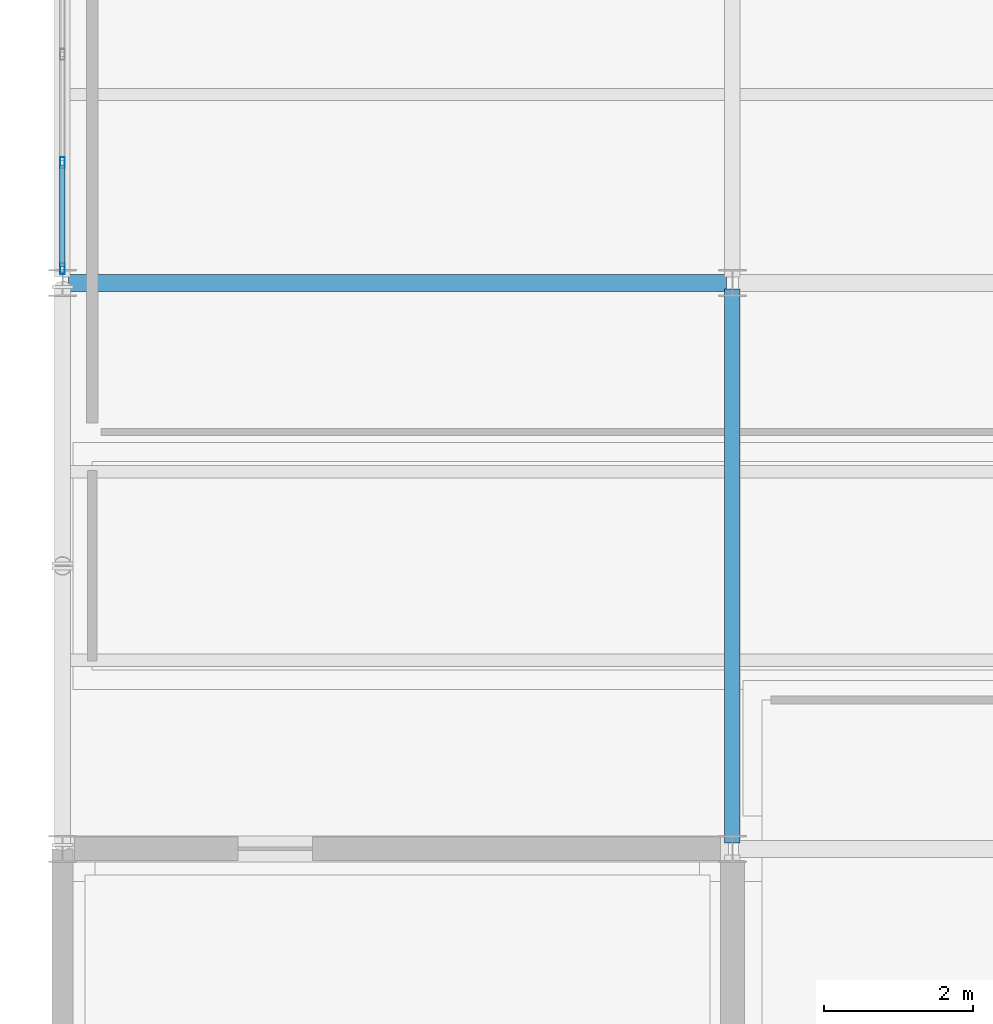
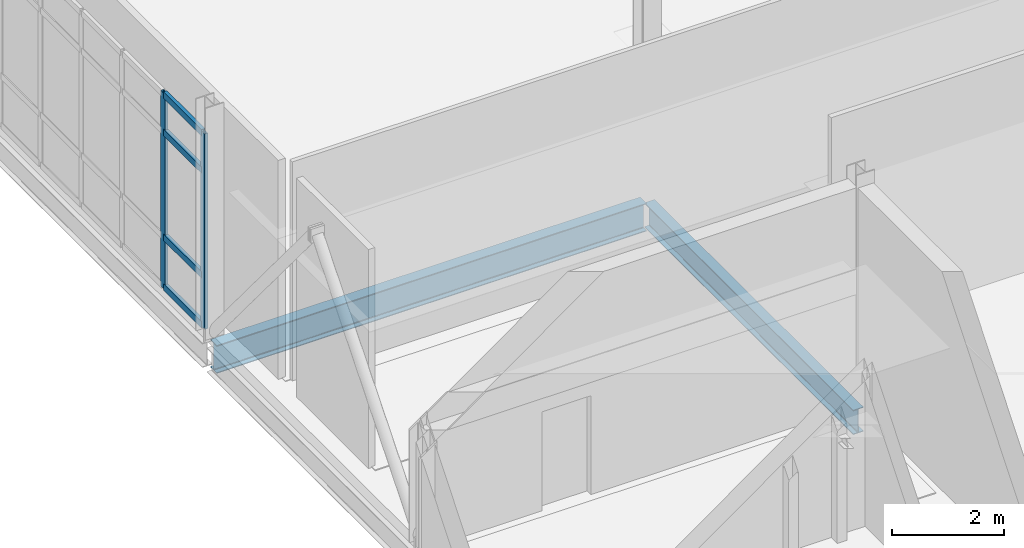
# One storey, part 40 of 161: 6 members, 2 beams, 1 element without a shape of its own.
"""IFC4 building model written with IfcOpenShell, lengths in metres."""

from ifc_helpers import new_model, si_unit, direction, frame, origin, origin_2d, place, context, subcontext, project, spatial, hollow_rectangle, i_section, extrude, material, material_profile, profile_set, type_object, element, aggregate, save


model = new_model("IFC4")

# Units and contexts
model_context = context("Model", 3, precision=1e-05, world=origin(), true_north=direction((0.0, 1.0)))
body_context = subcontext(model_context, "Body", "Model", "MODEL_VIEW")
ifc_project = project(units=[si_unit("LENGTHUNIT", "METRE"), si_unit("AREAUNIT", "SQUARE_METRE"), si_unit("VOLUMEUNIT", "CUBIC_METRE"), si_unit("PLANEANGLEUNIT", "RADIAN"), si_unit("MASSUNIT", "GRAM", prefix="KILO")], contexts=[model_context])

# Site, building, storey
site_placement = place(None, origin())
site = spatial("IfcSite", under=ifc_project, at=site_placement, CompositionType="ELEMENT")
building_placement = place(site_placement, origin())
building = spatial("IfcBuilding", under=site, at=building_placement, Name="Caisbarro Railhouse Central Library", CompositionType="ELEMENT")
storey_placement = place(building_placement, origin())
storey = spatial("IfcBuildingStorey", under=building, at=storey_placement, Name="L00", CompositionType="ELEMENT", Elevation=0.0)

# Beams
ifc_material_1 = material(Name="Steel ASTM A572 Grade 50", Category="steel")
ifc_material_profile_1 = material_profile(ifc_material_1, i_section(OverallWidth=0.22802734375, OverallDepth=0.60791015625, WebThickness=0.01123046875, FlangeThickness=0.017333984375, FilletRadius=0.02197265625, at=origin_2d()), Name="W610X113.0")
ifc_profile_set_1 = profile_set([ifc_material_profile_1], Name="Steel ASTM A572 Grade 50")
beam_type_1 = type_object("IfcBeamType", Name="BM-G04", PredefinedType="BEAM", material=ifc_profile_set_1)
beam_1_placement = place(storey_placement, frame((0.080078125, 45.60009765625, -0.553955078125), z_axis=(1.0, 0.0, 0.0), x_axis=(0.0, 1.0, 0.0)))
element("IfcBeam", 1, at=beam_1_placement, inside=storey, type_object=beam_type_1, Name="G04 beam L00 #259", PredefinedType="BEAM", context=body_context, shape_type="SweptSolid", body=[
    extrude(i_section(OverallWidth=0.22802734375, OverallDepth=0.60791015625, WebThickness=0.01123046875, FlangeThickness=0.017333984375, FilletRadius=0.02197265625, at=origin_2d()), origin(), (0.0, 0.0, 1.0), 8.83984375),
])
ifc_material_profile_2 = material_profile(ifc_material_1, i_section(OverallWidth=0.208984375, OverallDepth=0.532958984375, WebThickness=0.01025390625, FlangeThickness=0.015625, FilletRadius=0.02001953125, at=origin_2d()), Name="W530X92.0")
ifc_profile_set_2 = profile_set([ifc_material_profile_2], Name="Steel ASTM A572 Grade 50")
beam_type_2 = type_object("IfcBeamType", Name="BM-G06", PredefinedType="BEAM", material=ifc_profile_set_2)
beam_2_placement = place(storey_placement, frame((9.0, 38.080078125, -0.5166015625), z_axis=(0.0, 1.0, 0.0), x_axis=(-1.0, 0.0, 0.0)))
element("IfcBeam", 2, at=beam_2_placement, inside=storey, type_object=beam_type_2, Name="G06 beam L00 #288", PredefinedType="BEAM", context=body_context, shape_type="SweptSolid", body=[
    extrude(i_section(OverallWidth=0.208984375, OverallDepth=0.532958984375, WebThickness=0.01025390625, FlangeThickness=0.015625, FilletRadius=0.02001953125, at=origin_2d()), origin(), (0.0, 0.0, 1.0), 7.43994140625),
])

# Curtain wall, members
ifc_material_2 = material(Name="Anodised architectural aluminium", Category="aluminium")
curtain_wall_type = type_object("IfcCurtainWallType", Name="CW-CW02", PredefinedType="NOTDEFINED", material=ifc_material_2)
curtain_wall_placement = place(storey_placement, origin())
curtain_wall = element("IfcCurtainWall", 3, at=curtain_wall_placement, inside=storey, type_object=curtain_wall_type, Name="CW02 curtain wall L00 #21", PredefinedType="NOTDEFINED")
ifc_material_profile_3 = material_profile(ifc_material_2, hollow_rectangle(XDim=0.06494140625, YDim=0.14990234375, WallThickness=0.00390625, at=origin_2d()), Name="ALU-MUL-65X150")
ifc_profile_set_3 = profile_set([ifc_material_profile_3], Name="Anodised architectural aluminium")
member_type_1 = type_object("IfcMemberType", Name="CWM-M02", PredefinedType="MULLION", material=ifc_profile_set_3)
member_1_placement = place(storey_placement, frame((0.0, 45.79248046875, 0.0), z_axis=(0.0, 0.0, 1.0), x_axis=(-1.0, 0.0, 0.0)))
member_1 = element("IfcMember", 4, at=member_1_placement, type_object=member_type_1, Name="CW02 mullion 1", PredefinedType="MULLION", context=body_context, shape_type="SweptSolid", body=[
    extrude(hollow_rectangle(XDim=0.06494140625, YDim=0.14990234375, WallThickness=0.00390625, at=origin_2d()), origin(), (0.0, 0.0, 1.0), 4.25),
])
member_2_placement = place(storey_placement, frame((0.0, 47.216064453125, 0.0), z_axis=(0.0, 0.0, 1.0), x_axis=(-1.0, 0.0, 0.0)))
member_2 = element("IfcMember", 5, at=member_2_placement, type_object=member_type_1, Name="CW02 mullion 2", PredefinedType="MULLION", context=body_context, shape_type="SweptSolid", body=[
    extrude(hollow_rectangle(XDim=0.06494140625, YDim=0.14990234375, WallThickness=0.00390625, at=origin_2d()), origin(), (0.0, 0.0, 1.0), 4.25),
])
ifc_material_profile_4 = material_profile(ifc_material_2, hollow_rectangle(XDim=0.074951171875, YDim=0.139892578125, WallThickness=0.00390625, at=origin_2d()), Name="ALU-TRN-75X140")
ifc_profile_set_4 = profile_set([ifc_material_profile_4], Name="Anodised architectural aluminium")
member_type_2 = type_object("IfcMemberType", Name="CWT-T01", PredefinedType="USERDEFINED", material=ifc_profile_set_4)
member_3_placement = place(storey_placement, frame((0.0, 45.824951171875, 0.03759765625), z_axis=(0.0, 1.0, 0.0), x_axis=(-1.0, 0.0, 0.0)))
member_3 = element("IfcMember", 6, at=member_3_placement, type_object=member_type_2, Name="CW02 transom 1.1", ObjectType="TRANSOM", PredefinedType="USERDEFINED", context=body_context, shape_type="SweptSolid", body=[
    extrude(hollow_rectangle(XDim=0.074951171875, YDim=0.139892578125, WallThickness=0.00390625, at=origin_2d()), origin(), (0.0, 0.0, 1.0), 1.358642578125),
])
member_4_placement = place(storey_placement, frame((0.0, 45.824951171875, 1.1201171875), z_axis=(0.0, 1.0, 0.0), x_axis=(-1.0, 0.0, 0.0)))
member_4 = element("IfcMember", 7, at=member_4_placement, type_object=member_type_2, Name="CW02 transom 1.2", ObjectType="TRANSOM", PredefinedType="USERDEFINED", context=body_context, shape_type="SweptSolid", body=[
    extrude(hollow_rectangle(XDim=0.074951171875, YDim=0.139892578125, WallThickness=0.00390625, at=origin_2d()), origin(), (0.0, 0.0, 1.0), 1.358642578125),
])
member_5_placement = place(storey_placement, frame((0.0, 45.824951171875, 3.39990234375), z_axis=(0.0, 1.0, 0.0), x_axis=(-1.0, 0.0, 0.0)))
member_5 = element("IfcMember", 8, at=member_5_placement, type_object=member_type_2, Name="CW02 transom 1.3", ObjectType="TRANSOM", PredefinedType="USERDEFINED", context=body_context, shape_type="SweptSolid", body=[
    extrude(hollow_rectangle(XDim=0.074951171875, YDim=0.139892578125, WallThickness=0.00390625, at=origin_2d()), origin(), (0.0, 0.0, 1.0), 1.358642578125),
])
member_6_placement = place(storey_placement, frame((0.0, 45.824951171875, 4.21240234375), z_axis=(0.0, 1.0, 0.0), x_axis=(-1.0, 0.0, 0.0)))
member_6 = element("IfcMember", 9, at=member_6_placement, type_object=member_type_2, Name="CW02 transom 1.4", ObjectType="TRANSOM", PredefinedType="USERDEFINED", context=body_context, shape_type="SweptSolid", body=[
    extrude(hollow_rectangle(XDim=0.074951171875, YDim=0.139892578125, WallThickness=0.00390625, at=origin_2d()), origin(), (0.0, 0.0, 1.0), 1.358642578125),
])
aggregate(curtain_wall, [member_1, member_2, member_3, member_4, member_5, member_6])

save(model, "model.ifc")
